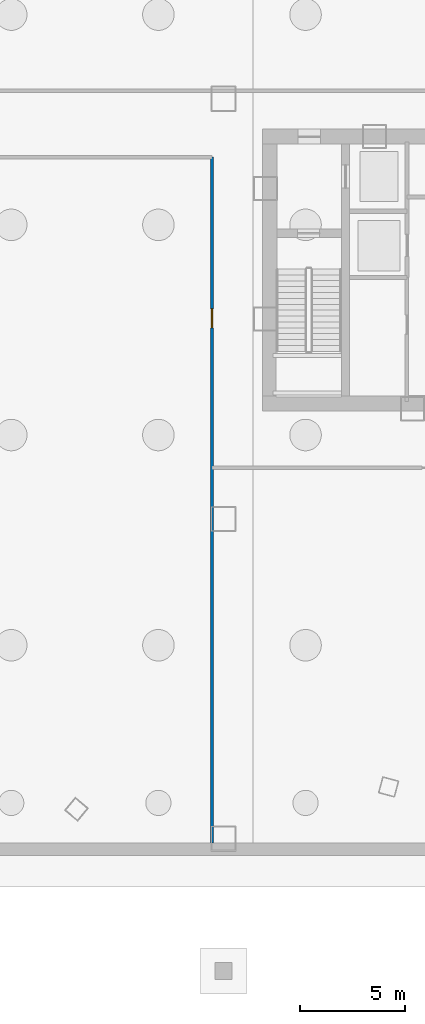
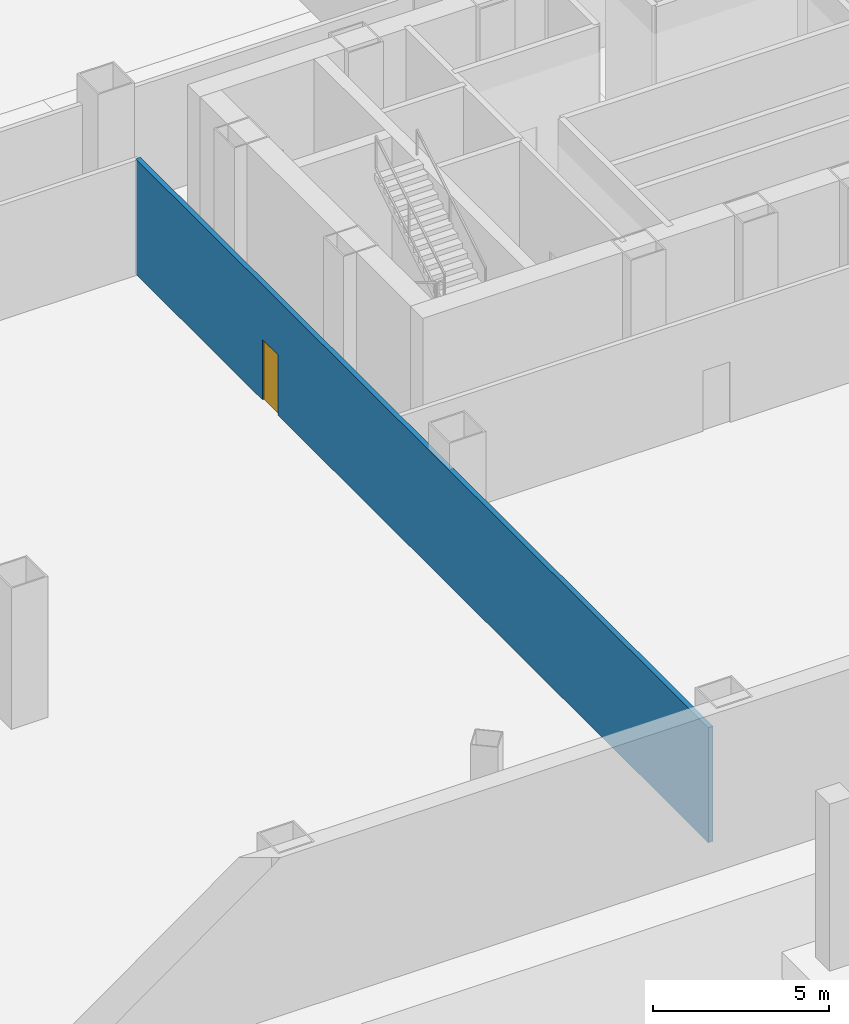
# One storey, part 5 of 15: 1 door, 1 wall, 1 opening.
"""IFC4 building model written with IfcOpenShell, lengths in metres."""

from ifc_helpers import new_model, si_unit, direction, frame, frame_2d, origin, origin_with_axes, place, context, subcontext, project, spatial, rectangle, extrude, source, transform, mapped, material, layer, layer_set, type_object, element, fill, save


model = new_model("IFC4")

# Units and contexts
model_context = context("Model", 3, precision=1e-05, world=origin(), true_north=direction((0.0, 1.0)))
body_context = subcontext(model_context, "Body", "Model", "MODEL_VIEW")
ifc_project = project(units=[si_unit("LENGTHUNIT", "METRE"), si_unit("AREAUNIT", "SQUARE_METRE"), si_unit("VOLUMEUNIT", "CUBIC_METRE"), si_unit("PLANEANGLEUNIT", "RADIAN"), si_unit("MASSUNIT", "GRAM", prefix="KILO"), si_unit("THERMODYNAMICTEMPERATUREUNIT", "KELVIN"), si_unit("POWERUNIT", "WATT")], contexts=[model_context])

# Site, building, storey
site_placement = place(None, origin())
site = spatial("IfcSite", under=ifc_project, at=site_placement, CompositionType="ELEMENT")
building_placement = place(site_placement, origin())
building = spatial("IfcBuilding", under=site, at=building_placement, Name="Yunzhuo Pagoda Commons", CompositionType="ELEMENT")
storey_placement = place(building_placement, frame((0.0, 0.0, -10.0)))
storey = spatial("IfcBuildingStorey", under=building, at=storey_placement, Name="B02", CompositionType="ELEMENT", Elevation=-10.0)

# Wall, opening, door
ifc_material_1 = material(Name="Gypsum plasterboard on acoustic stud")
ifc_layer = layer(ifc_material_1, 0.159912109375)
ifc_layer_set = layer_set([ifc_layer], Name="Gypsum plasterboard on acoustic stud")
wall_type = type_object("IfcWallType", Name="W-COR1 Tower Rated Corridor Wall 160", PredefinedType="PARTITIONING", material=ifc_layer_set)
wall_placement = place(storey_placement, frame((33.050048828125, 6.60009765625, 0.0), z_axis=(0.0, 0.0, 1.0), x_axis=(0.0, 1.0, 0.0)))
wall = element("IfcWall", 1, at=wall_placement, inside=storey, type_object=wall_type, Name="B02 interior wall IW-B02-SUBS", PredefinedType="PARTITIONING", context=body_context, shape_type="SweptSolid", body=[
    extrude(rectangle(XDim=32.619873046875, YDim=0.159912109375, at=frame_2d((16.31005859375, 0.0))), origin(), (0.0, 0.0, 1.0), 4.0),
])
opening_placement = place(wall_placement, frame((24.5, 0.0, 0.0)))
opening = element("IfcOpeningElement", 2, at=opening_placement, cuts=wall, Name="Opening D-03", PredefinedType="OPENING", context=body_context, shape_type="SweptSolid", body=[
    extrude(rectangle(XDim=0.89990234375, YDim=2.10009765625, at=frame_2d((0.449951171875, 1.050048828125))), frame((0.0, 0.08984375, 0.0), z_axis=(0.0, -1.0, 0.0), x_axis=(1.0, 0.0, 0.0)), (0.0, 0.0, 1.0), 0.179931640625),
])
ifc_material_2 = material(Name="Galvanized fire-resisting metal leaf")
door_type = type_object("IfcDoorType", Name="D-03 Core Service Fire Door 900x2100", OperationType="NOTDEFINED", PredefinedType="DOOR", material=ifc_material_2)
shared_shape = source(origin(), body_context, "Body", "SweptSolid", [
    extrude(rectangle(XDim=0.89990234375, YDim=2.10009765625, at=frame_2d((0.449951171875, 1.050048828125))), frame((0.0, 0.02490234375, 0.0), z_axis=(0.0, -1.0, 0.0), x_axis=(1.0, 0.0, 0.0)), (0.0, 0.0, 1.0), 0.050048828125),
])
door_placement = place(opening_placement, origin_with_axes())
door = element("IfcDoor", 3, at=door_placement, inside=storey, type_object=door_type, Name="B02 Substation door", OperationType="SINGLE_SWING_LEFT", OverallHeight=2.10009765625, OverallWidth=0.89990234375, PredefinedType="DOOR", context=body_context, shape_type="MappedRepresentation", body=[
    mapped(shared_shape, transform((0.0, 0.0, 0.0), scale=1.0)),
])
fill(opening, door)

save(model, "model.ifc")
